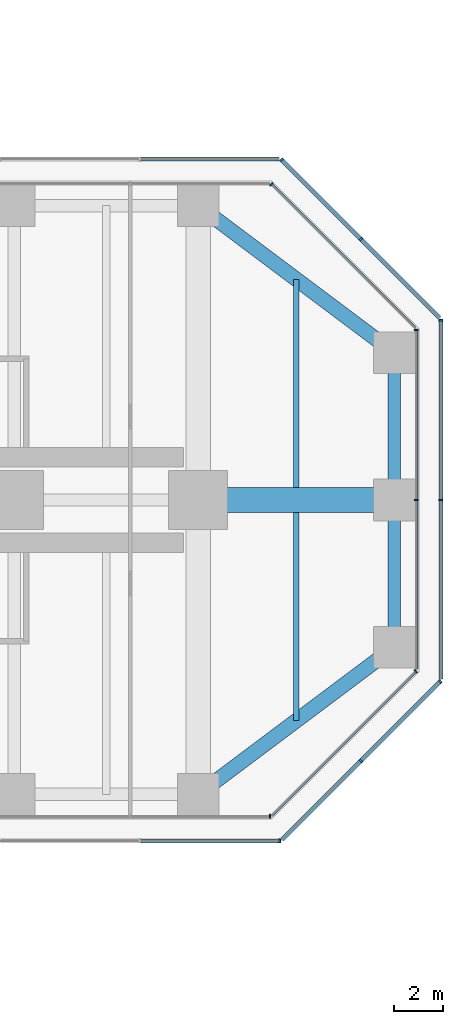
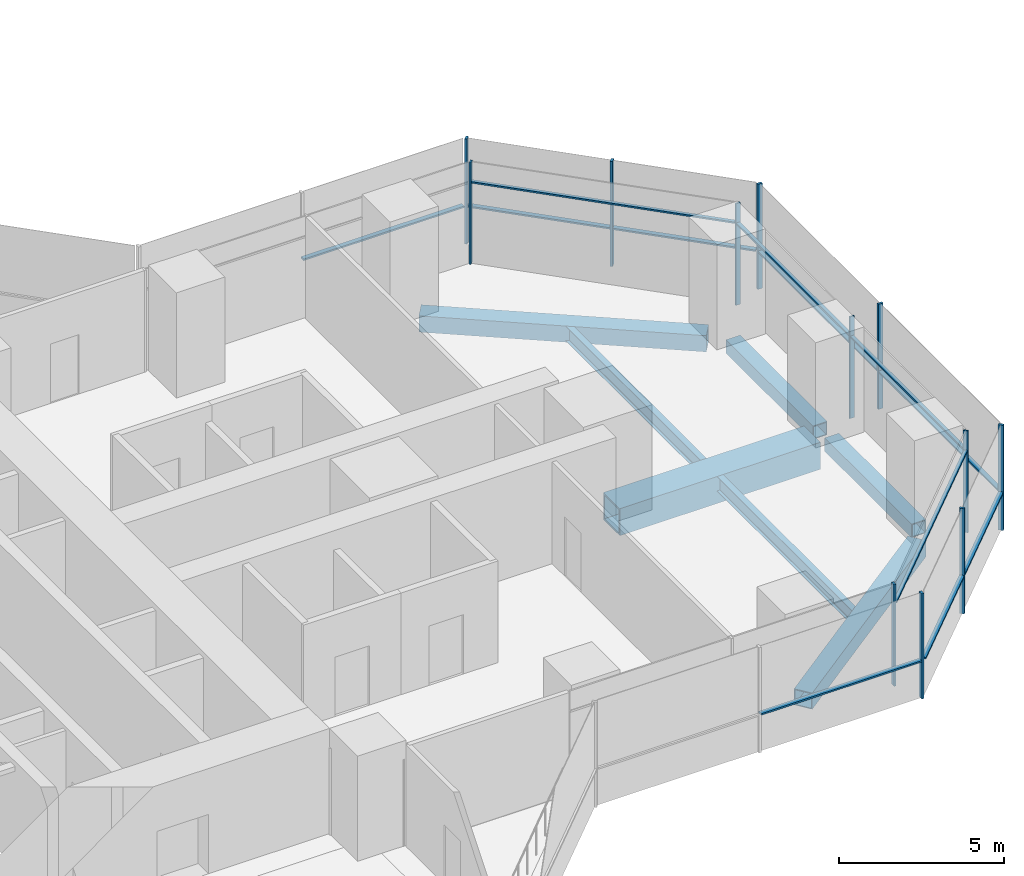
# One storey, part 12 of 22: 24 members, 7 beams, 9 elements without a shape of their own.
"""IFC4 building model written with IfcOpenShell, lengths in metres."""

from ifc_helpers import new_model, si_unit, direction, frame, origin, origin_2d, place, context, subcontext, project, spatial, rectangle, hollow_rectangle, i_section, extrude, material, material_profile, profile_set, type_object, element, aggregate, save


model = new_model("IFC4")

# Units and contexts
model_context = context("Model", 3, precision=1e-05, world=origin(), true_north=direction((0.0, 1.0)))
body_context = subcontext(model_context, "Body", "Model", "MODEL_VIEW")
ifc_project = project(units=[si_unit("LENGTHUNIT", "METRE"), si_unit("AREAUNIT", "SQUARE_METRE"), si_unit("VOLUMEUNIT", "CUBIC_METRE"), si_unit("PLANEANGLEUNIT", "RADIAN"), si_unit("MASSUNIT", "GRAM", prefix="KILO")], contexts=[model_context])

# Site, building, storey
site_placement = place(None, origin())
site = spatial("IfcSite", under=ifc_project, at=site_placement, CompositionType="ELEMENT")
building_placement = place(site_placement, origin())
building = spatial("IfcBuilding", under=site, at=building_placement, Name="Mizan Broadcast Tower", CompositionType="ELEMENT")
storey_placement = place(building_placement, frame((0.0, 0.0, 55.199951171875)))
storey = spatial("IfcBuildingStorey", under=building, at=storey_placement, Name="L10", CompositionType="ELEMENT", Elevation=55.199951171875)

# Beams
ifc_material_1 = material(Name="Steel S355", Category="steel")
ifc_material_profile_1 = material_profile(ifc_material_1, hollow_rectangle(XDim=0.5, YDim=0.5, WallThickness=0.030029296875, at=origin_2d()), Name="BOX 500x500x30")
ifc_profile_set_1 = profile_set([ifc_material_profile_1], Name="Steel S355")
beam_type_1 = type_object("IfcBeamType", Name="EDGE BEAM BOX 500x500x30", PredefinedType="SPANDREL", material=ifc_profile_set_1)
for number, where, z_axis, x_axis, name in (
    (1, (35.0, -5.639892578125, -0.3798828125), (0.0, 1.0, 0.0), (-1.0, 0.0, 0.0), "Edge beam BOX 500x500x30 L10 east arm"),
    (2, (35.0, 5.639892578125, -0.3798828125), (0.0, -1.0, 0.0), (1.0, 0.0, 0.0), "Edge beam BOX 500x500x30 L10 east arm"),
):
    element("IfcBeam", number, at=place(storey_placement, frame(where, z_axis=z_axis, x_axis=x_axis)), inside=storey, type_object=beam_type_1, Name=name, PredefinedType="SPANDREL", context=body_context, shape_type="SweptSolid", body=[
        extrude(hollow_rectangle(XDim=0.5, YDim=0.5, WallThickness=0.030029296875, at=origin_2d()), origin(), (0.0, 0.0, 1.0), 5.27978515625),
    ])
ifc_material_2 = material(Name="Steel S355", Category="steel")
ifc_material_profile_2 = material_profile(ifc_material_2, hollow_rectangle(XDim=0.60009765625, YDim=0.60009765625, WallThickness=0.030029296875, at=origin_2d()), Name="BOX 600x600x30")
ifc_profile_set_2 = profile_set([ifc_material_profile_2], Name="Steel S355")
beam_type_2 = type_object("IfcBeamType", Name="EDGE BEAM BOX 600x600x30", PredefinedType="SPANDREL", material=ifc_profile_set_2)
for number, where, z_axis, x_axis, name in (
    (3, (27.47998046875, -11.639892578125, -0.429931640625), (0.800013316712, 0.599982243973, 0.0), (-0.599982243973, 0.800013316712, 0.0), "Edge beam BOX 600x600x30 L10 east arm"),
    (4, (27.47998046875, 11.639892578125, -0.429931640625), (0.800013316712, -0.599982243973, 0.0), (0.599982243973, 0.800013316712, 0.0), "Edge beam BOX 600x600x30 L10 east arm"),
):
    element("IfcBeam", number, at=place(storey_placement, frame(where, z_axis=z_axis, x_axis=x_axis)), inside=storey, type_object=beam_type_2, Name=name, PredefinedType="SPANDREL", context=body_context, shape_type="SweptSolid", body=[
        extrude(hollow_rectangle(XDim=0.60009765625, YDim=0.60009765625, WallThickness=0.030029296875, at=origin_2d()), origin(), (0.0, 0.0, 1.0), 8.7998046875),
    ])
ifc_material_3 = material(Name="Steel S460", Category="steel")
ifc_material_profile_3 = material_profile(ifc_material_3, hollow_rectangle(XDim=1.0, YDim=1.0, WallThickness=0.06005859375, at=origin_2d()), Name="BOX 1000x1000x60")
ifc_profile_set_3 = profile_set([ifc_material_profile_3], Name="Steel S460")
beam_type_3 = type_object("IfcBeamType", Name="GIRDER BOX 1000x1000x60", PredefinedType="BEAM", material=ifc_profile_set_3)
beam_placement = place(storey_placement, frame((27.47998046875, 0.0, -0.6298828125), z_axis=(1.0, 0.0, 0.0), x_axis=(0.0, 1.0, 0.0)))
element("IfcBeam", 5, at=beam_placement, inside=storey, type_object=beam_type_3, Name="Girder BOX 1000x1000x60 L10 east arm", PredefinedType="BEAM", context=body_context, shape_type="SweptSolid", body=[
    extrude(hollow_rectangle(XDim=1.0, YDim=1.0, WallThickness=0.06005859375, at=origin_2d()), origin(), (0.0, 0.0, 1.0), 7.0400390625),
])

# Curtain wall, member
ifc_material_4 = material(Name="Aluminium framed glazing", Category="aluminium")
curtain_wall_type_1 = type_object("IfcCurtainWallType", Name="INNER SKIN LOW ZONE", PredefinedType="USERDEFINED", material=ifc_material_4)
curtain_wall_1_placement = place(storey_placement, origin())
curtain_wall_1 = element("IfcCurtainWall", 6, at=curtain_wall_1_placement, inside=storey, type_object=curtain_wall_type_1, Name="Inner skin low zone L10 E side", ObjectType="INNER SKIN LOW ZONE", PredefinedType="USERDEFINED")
ifc_material_5 = material(Name="Aluminium, pale anodised", Category="aluminium")
ifc_material_profile_4 = material_profile(ifc_material_5, rectangle(XDim=0.159912109375, YDim=0.06005859375, at=origin_2d()), Name="MULLION 160x60")
ifc_profile_set_4 = profile_set([ifc_material_profile_4], Name="Aluminium, pale anodised")
member_type_1 = type_object("IfcMemberType", Name="INNER SKIN MULLION 60x160", PredefinedType="MULLION", material=ifc_profile_set_4)
member_1_placement = place(storey_placement, frame((29.928466796875, -12.89990234375, 0.0), z_axis=(0.0, 0.0, 1.0), x_axis=(0.0, 1.0, 0.0)))
member_1 = element("IfcMember", 7, at=member_1_placement, type_object=member_type_1, Name="Inner skin low zone L10 E side mullion 3", PredefinedType="MULLION", context=body_context, shape_type="SweptSolid", body=[
    extrude(rectangle(XDim=0.159912109375, YDim=0.06005859375, at=origin_2d()), origin(), (0.0, 0.0, 1.0), 3.77001953125),
])
aggregate(curtain_wall_1, [member_1])

curtain_wall_2_placement = place(storey_placement, origin())
curtain_wall_2 = element("IfcCurtainWall", 8, at=curtain_wall_2_placement, inside=storey, type_object=curtain_wall_type_1, Name="Inner skin low zone L10 E chamfer", ObjectType="INNER SKIN LOW ZONE", PredefinedType="USERDEFINED")
member_2_placement = place(storey_placement, frame((35.87890625, -6.979736328125, 0.0), z_axis=(0.0, 0.0, 1.0), x_axis=(-0.707106781187, 0.707106781187, 0.0)))
member_2 = element("IfcMember", 9, at=member_2_placement, type_object=member_type_1, Name="Inner skin low zone L10 E chamfer mullion 2", PredefinedType="MULLION", context=body_context, shape_type="SweptSolid", body=[
    extrude(rectangle(XDim=0.159912109375, YDim=0.06005859375, at=origin_2d()), origin(), (0.0, 0.0, 1.0), 3.77001953125),
])

# Curtain wall, members
curtain_wall_3_placement = place(storey_placement, origin())
curtain_wall_3 = element("IfcCurtainWall", 10, at=curtain_wall_3_placement, inside=storey, type_object=curtain_wall_type_1, Name="Inner skin low zone L10 E end", ObjectType="INNER SKIN LOW ZONE", PredefinedType="USERDEFINED")
member_3_placement = place(storey_placement, frame((35.89990234375, 0.0, 0.0), z_axis=(0.0, 0.0, 1.0), x_axis=(-1.0, 0.0, 0.0)))
member_3 = element("IfcMember", 11, at=member_3_placement, type_object=member_type_1, Name="Inner skin low zone L10 E end mullion 2", PredefinedType="MULLION", context=body_context, shape_type="SweptSolid", body=[
    extrude(rectangle(XDim=0.159912109375, YDim=0.06005859375, at=origin_2d()), origin(), (0.0, 0.0, 1.0), 3.77001953125),
])
member_4_placement = place(storey_placement, frame((35.89990234375, 6.928466796875, 0.0), z_axis=(0.0, 0.0, 1.0), x_axis=(-1.0, 0.0, 0.0)))
member_4 = element("IfcMember", 12, at=member_4_placement, type_object=member_type_1, Name="Inner skin low zone L10 E end mullion 3", PredefinedType="MULLION", context=body_context, shape_type="SweptSolid", body=[
    extrude(rectangle(XDim=0.159912109375, YDim=0.06005859375, at=origin_2d()), origin(), (0.0, 0.0, 1.0), 3.77001953125),
])

# Curtain wall, member
curtain_wall_4_placement = place(storey_placement, origin())
curtain_wall_4 = element("IfcCurtainWall", 13, at=curtain_wall_4_placement, inside=storey, type_object=curtain_wall_type_1, Name="Inner skin low zone L10 E chamfer", ObjectType="INNER SKIN LOW ZONE", PredefinedType="USERDEFINED")
member_5_placement = place(storey_placement, frame((29.979736328125, 12.87890625, 0.0), z_axis=(0.0, 0.0, 1.0), x_axis=(-0.707106781187, -0.707106781187, 0.0)))
member_5 = element("IfcMember", 14, at=member_5_placement, type_object=member_type_1, Name="Inner skin low zone L10 E chamfer mullion 2", PredefinedType="MULLION", context=body_context, shape_type="SweptSolid", body=[
    extrude(rectangle(XDim=0.159912109375, YDim=0.06005859375, at=origin_2d()), origin(), (0.0, 0.0, 1.0), 3.77001953125),
])

# Member
ifc_material_6 = material(Name="Aluminium, pale anodised", Category="aluminium")
ifc_material_profile_5 = material_profile(ifc_material_6, rectangle(XDim=0.1201171875, YDim=0.06005859375, at=origin_2d()), Name="TRANSOM 120x60")
ifc_profile_set_5 = profile_set([ifc_material_profile_5], Name="Aluminium, pale anodised")
member_type_2 = type_object("IfcMemberType", Name="INNER SKIN TRANSOM 60x120", PredefinedType="USERDEFINED", material=ifc_profile_set_5)
member_6_placement = place(storey_placement, frame((30.0009765625, -12.857666015625, 3.030029296875), z_axis=(0.707106781187, 0.707106781187, 0.0), x_axis=(-0.707106781187, 0.707106781187, 0.0)))
member_6 = element("IfcMember", 15, at=member_6_placement, type_object=member_type_2, Name="Inner skin low zone L10 E chamfer transom 1.1", ObjectType="TRANSOM", PredefinedType="USERDEFINED", context=body_context, shape_type="SweptSolid", body=[
    extrude(rectangle(XDim=0.1201171875, YDim=0.06005859375, at=origin_2d()), origin(), (0.0, 0.0, 1.0), 8.28271484375),
])

aggregate(curtain_wall_2, [member_2, member_6])

member_7_placement = place(storey_placement, frame((35.89990234375, -6.898681640625, 3.030029296875), z_axis=(0.0, 1.0, 0.0), x_axis=(-1.0, 0.0, 0.0)))
member_7 = element("IfcMember", 16, at=member_7_placement, type_object=member_type_2, Name="Inner skin low zone L10 E end transom 1.1", ObjectType="TRANSOM", PredefinedType="USERDEFINED", context=body_context, shape_type="SweptSolid", body=[
    extrude(rectangle(XDim=0.1201171875, YDim=0.06005859375, at=origin_2d()), origin(), (0.0, 0.0, 1.0), 6.86865234375),
])

member_8_placement = place(storey_placement, frame((35.89990234375, 0.030029296875, 3.030029296875), z_axis=(0.0, 1.0, 0.0), x_axis=(-1.0, 0.0, 0.0)))
member_8 = element("IfcMember", 17, at=member_8_placement, type_object=member_type_2, Name="Inner skin low zone L10 E end transom 2.1", ObjectType="TRANSOM", PredefinedType="USERDEFINED", context=body_context, shape_type="SweptSolid", body=[
    extrude(rectangle(XDim=0.1201171875, YDim=0.06005859375, at=origin_2d()), origin(), (0.0, 0.0, 1.0), 6.86865234375),
])

aggregate(curtain_wall_3, [member_3, member_4, member_7, member_8])

member_9_placement = place(storey_placement, frame((35.857666015625, 7.0009765625, 3.030029296875), z_axis=(-0.707106781187, 0.707106781187, 0.0), x_axis=(-0.707106781187, -0.707106781187, 0.0)))
member_9 = element("IfcMember", 18, at=member_9_placement, type_object=member_type_2, Name="Inner skin low zone L10 E chamfer transom 1.1", ObjectType="TRANSOM", PredefinedType="USERDEFINED", context=body_context, shape_type="SweptSolid", body=[
    extrude(rectangle(XDim=0.1201171875, YDim=0.06005859375, at=origin_2d()), origin(), (0.0, 0.0, 1.0), 8.28271484375),
])

aggregate(curtain_wall_4, [member_5, member_9])

# Curtain wall, members
ifc_material_7 = material(Name="Aluminium framed glazing", Category="aluminium")
curtain_wall_type_2 = type_object("IfcCurtainWallType", Name="OUTER SKIN", PredefinedType="USERDEFINED", material=ifc_material_7)
curtain_wall_5_placement = place(storey_placement, origin())
curtain_wall_5 = element("IfcCurtainWall", 19, at=curtain_wall_5_placement, inside=storey, type_object=curtain_wall_type_2, Name="Outer skin L10 E chamfer", ObjectType="OUTER SKIN", PredefinedType="USERDEFINED")
ifc_material_8 = material(Name="Aluminium, pale anodised", Category="aluminium")
ifc_material_profile_6 = material_profile(ifc_material_8, rectangle(XDim=0.159912109375, YDim=0.080078125, at=origin_2d()), Name="MULLION 160x80")
ifc_profile_set_6 = profile_set([ifc_material_profile_6], Name="Aluminium, pale anodised")
member_type_3 = type_object("IfcMemberType", Name="OUTER SKIN MULLION 80x160", PredefinedType="MULLION", material=ifc_profile_set_6)
member_10_placement = place(storey_placement, frame((33.636474609375, -10.636474609375, 0.0), z_axis=(0.0, 0.0, 1.0), x_axis=(-0.707106781187, 0.707106781187, 0.0)))
member_10 = element("IfcMember", 20, at=member_10_placement, type_object=member_type_3, Name="Outer skin L10 E chamfer mullion 2", PredefinedType="MULLION", context=body_context, shape_type="SweptSolid", body=[
    extrude(rectangle(XDim=0.159912109375, YDim=0.080078125, at=origin_2d()), origin(), (0.0, 0.0, 1.0), 3.900146484375),
])
member_11_placement = place(storey_placement, frame((36.871826171875, -7.401123046875, 0.0), z_axis=(0.0, 0.0, 1.0), x_axis=(-0.707106781187, 0.707106781187, 0.0)))
member_11 = element("IfcMember", 21, at=member_11_placement, type_object=member_type_3, Name="Outer skin L10 E chamfer mullion 3", PredefinedType="MULLION", context=body_context, shape_type="SweptSolid", body=[
    extrude(rectangle(XDim=0.159912109375, YDim=0.080078125, at=origin_2d()), origin(), (0.0, 0.0, 1.0), 3.900146484375),
])

curtain_wall_6_placement = place(storey_placement, origin())
curtain_wall_6 = element("IfcCurtainWall", 22, at=curtain_wall_6_placement, inside=storey, type_object=curtain_wall_type_2, Name="Outer skin L10 E end", ObjectType="OUTER SKIN", PredefinedType="USERDEFINED")
member_12_placement = place(storey_placement, frame((36.89990234375, 0.0, 0.0), z_axis=(0.0, 0.0, 1.0), x_axis=(-1.0, 0.0, 0.0)))
member_12 = element("IfcMember", 23, at=member_12_placement, type_object=member_type_3, Name="Outer skin L10 E end mullion 2", PredefinedType="MULLION", context=body_context, shape_type="SweptSolid", body=[
    extrude(rectangle(XDim=0.159912109375, YDim=0.080078125, at=origin_2d()), origin(), (0.0, 0.0, 1.0), 3.900146484375),
])
member_13_placement = place(storey_placement, frame((36.89990234375, 7.332763671875, 0.0), z_axis=(0.0, 0.0, 1.0), x_axis=(-1.0, 0.0, 0.0)))
member_13 = element("IfcMember", 24, at=member_13_placement, type_object=member_type_3, Name="Outer skin L10 E end mullion 3", PredefinedType="MULLION", context=body_context, shape_type="SweptSolid", body=[
    extrude(rectangle(XDim=0.159912109375, YDim=0.080078125, at=origin_2d()), origin(), (0.0, 0.0, 1.0), 3.900146484375),
])

curtain_wall_7_placement = place(storey_placement, origin())
curtain_wall_7 = element("IfcCurtainWall", 25, at=curtain_wall_7_placement, inside=storey, type_object=curtain_wall_type_2, Name="Outer skin L10 E chamfer", ObjectType="OUTER SKIN", PredefinedType="USERDEFINED")
member_14_placement = place(storey_placement, frame((33.636474609375, 10.636474609375, 0.0), z_axis=(0.0, 0.0, 1.0), x_axis=(-0.707106781187, -0.707106781187, 0.0)))
member_14 = element("IfcMember", 26, at=member_14_placement, type_object=member_type_3, Name="Outer skin L10 E chamfer mullion 2", PredefinedType="MULLION", context=body_context, shape_type="SweptSolid", body=[
    extrude(rectangle(XDim=0.159912109375, YDim=0.080078125, at=origin_2d()), origin(), (0.0, 0.0, 1.0), 3.900146484375),
])
member_15_placement = place(storey_placement, frame((30.401123046875, 13.871826171875, 0.0), z_axis=(0.0, 0.0, 1.0), x_axis=(-0.707106781187, -0.707106781187, 0.0)))
member_15 = element("IfcMember", 27, at=member_15_placement, type_object=member_type_3, Name="Outer skin L10 E chamfer mullion 3", PredefinedType="MULLION", context=body_context, shape_type="SweptSolid", body=[
    extrude(rectangle(XDim=0.159912109375, YDim=0.080078125, at=origin_2d()), origin(), (0.0, 0.0, 1.0), 3.900146484375),
])

# Curtain wall, member
curtain_wall_8_placement = place(storey_placement, origin())
curtain_wall_8 = element("IfcCurtainWall", 28, at=curtain_wall_8_placement, inside=storey, type_object=curtain_wall_type_2, Name="Outer skin L10 E side", ObjectType="OUTER SKIN", PredefinedType="USERDEFINED")
member_16_placement = place(storey_placement, frame((30.332763671875, -13.89990234375, 0.0), z_axis=(0.0, 0.0, 1.0), x_axis=(0.0, 1.0, 0.0)))
member_16 = element("IfcMember", 29, at=member_16_placement, type_object=member_type_3, Name="Outer skin L10 E side mullion 3", PredefinedType="MULLION", context=body_context, shape_type="SweptSolid", body=[
    extrude(rectangle(XDim=0.159912109375, YDim=0.080078125, at=origin_2d()), origin(), (0.0, 0.0, 1.0), 3.900146484375),
])

# Member
ifc_material_9 = material(Name="Aluminium, pale anodised", Category="aluminium")
ifc_material_profile_7 = material_profile(ifc_material_9, rectangle(XDim=0.159912109375, YDim=0.06005859375, at=origin_2d()), Name="TRANSOM 160x60")
ifc_profile_set_7 = profile_set([ifc_material_profile_7], Name="Aluminium, pale anodised")
member_type_4 = type_object("IfcMemberType", Name="OUTER SKIN TRANSOM 60x160", PredefinedType="USERDEFINED", material=ifc_profile_set_7)
member_17_placement = place(storey_placement, frame((30.429443359375, -13.843505859375, 1.400146484375), z_axis=(0.707106781187, 0.707106781187, 0.0), x_axis=(-0.707106781187, 0.707106781187, 0.0)))
member_17 = element("IfcMember", 30, at=member_17_placement, type_object=member_type_4, Name="Outer skin L10 E chamfer transom 1.1", ObjectType="TRANSOM", PredefinedType="USERDEFINED", context=body_context, shape_type="SweptSolid", body=[
    extrude(rectangle(XDim=0.159912109375, YDim=0.06005859375, at=origin_2d()), origin(), (0.0, 0.0, 1.0), 4.495361328125),
])

member_18_placement = place(storey_placement, frame((33.664794921875, -10.608154296875, 1.400146484375), z_axis=(0.707106781187, 0.707106781187, 0.0), x_axis=(-0.707106781187, 0.707106781187, 0.0)))
member_18 = element("IfcMember", 31, at=member_18_placement, type_object=member_type_4, Name="Outer skin L10 E chamfer transom 2.1", ObjectType="TRANSOM", PredefinedType="USERDEFINED", context=body_context, shape_type="SweptSolid", body=[
    extrude(rectangle(XDim=0.159912109375, YDim=0.06005859375, at=origin_2d()), origin(), (0.0, 0.0, 1.0), 4.495361328125),
])

aggregate(curtain_wall_5, [member_10, member_11, member_17, member_18])

member_19_placement = place(storey_placement, frame((36.89990234375, -7.292724609375, 1.400146484375), z_axis=(0.0, 1.0, 0.0), x_axis=(-1.0, 0.0, 0.0)))
member_19 = element("IfcMember", 32, at=member_19_placement, type_object=member_type_4, Name="Outer skin L10 E end transom 1.1", ObjectType="TRANSOM", PredefinedType="USERDEFINED", context=body_context, shape_type="SweptSolid", body=[
    extrude(rectangle(XDim=0.159912109375, YDim=0.06005859375, at=origin_2d()), origin(), (0.0, 0.0, 1.0), 7.252685546875),
])

member_20_placement = place(storey_placement, frame((36.89990234375, 0.0400390625, 1.400146484375), z_axis=(0.0, 1.0, 0.0), x_axis=(-1.0, 0.0, 0.0)))
member_20 = element("IfcMember", 33, at=member_20_placement, type_object=member_type_4, Name="Outer skin L10 E end transom 2.1", ObjectType="TRANSOM", PredefinedType="USERDEFINED", context=body_context, shape_type="SweptSolid", body=[
    extrude(rectangle(XDim=0.159912109375, YDim=0.06005859375, at=origin_2d()), origin(), (0.0, 0.0, 1.0), 7.252685546875),
])

aggregate(curtain_wall_6, [member_12, member_13, member_19, member_20])

member_21_placement = place(storey_placement, frame((36.843505859375, 7.429443359375, 1.400146484375), z_axis=(-0.707106781187, 0.707106781187, 0.0), x_axis=(-0.707106781187, -0.707106781187, 0.0)))
member_21 = element("IfcMember", 34, at=member_21_placement, type_object=member_type_4, Name="Outer skin L10 E chamfer transom 1.1", ObjectType="TRANSOM", PredefinedType="USERDEFINED", context=body_context, shape_type="SweptSolid", body=[
    extrude(rectangle(XDim=0.159912109375, YDim=0.06005859375, at=origin_2d()), origin(), (0.0, 0.0, 1.0), 4.495361328125),
])

member_22_placement = place(storey_placement, frame((33.608154296875, 10.664794921875, 1.400146484375), z_axis=(-0.707106781187, 0.707106781187, 0.0), x_axis=(-0.707106781187, -0.707106781187, 0.0)))
member_22 = element("IfcMember", 35, at=member_22_placement, type_object=member_type_4, Name="Outer skin L10 E chamfer transom 2.1", ObjectType="TRANSOM", PredefinedType="USERDEFINED", context=body_context, shape_type="SweptSolid", body=[
    extrude(rectangle(XDim=0.159912109375, YDim=0.06005859375, at=origin_2d()), origin(), (0.0, 0.0, 1.0), 4.495361328125),
])

aggregate(curtain_wall_7, [member_14, member_15, member_21, member_22])

# Curtain wall, member
curtain_wall_9_placement = place(storey_placement, origin())
curtain_wall_9 = element("IfcCurtainWall", 36, at=curtain_wall_9_placement, inside=storey, type_object=curtain_wall_type_2, Name="Outer skin L10 E side", ObjectType="OUTER SKIN", PredefinedType="USERDEFINED")
member_23_placement = place(storey_placement, frame((30.292724609375, 13.89990234375, 1.400146484375), z_axis=(-1.0, 0.0, 0.0), x_axis=(0.0, -1.0, 0.0)))
member_23 = element("IfcMember", 37, at=member_23_placement, type_object=member_type_4, Name="Outer skin L10 E side transom 1.1", ObjectType="TRANSOM", PredefinedType="USERDEFINED", context=body_context, shape_type="SweptSolid", body=[
    extrude(rectangle(XDim=0.159912109375, YDim=0.06005859375, at=origin_2d()), origin(), (0.0, 0.0, 1.0), 5.6298828125),
])
aggregate(curtain_wall_9, [member_23])

# Member
member_24_placement = place(storey_placement, frame((24.662841796875, -13.89990234375, 1.400146484375), z_axis=(1.0, 0.0, 0.0), x_axis=(0.0, 1.0, 0.0)))
member_24 = element("IfcMember", 38, at=member_24_placement, type_object=member_type_4, Name="Outer skin L10 E side transom 2.1", ObjectType="TRANSOM", PredefinedType="USERDEFINED", context=body_context, shape_type="SweptSolid", body=[
    extrude(rectangle(XDim=0.159912109375, YDim=0.06005859375, at=origin_2d()), origin(), (0.0, 0.0, 1.0), 5.6298828125),
])

aggregate(curtain_wall_8, [member_16, member_24])

# Beams
ifc_material_10 = material(Name="Steel S355", Category="steel")
ifc_material_profile_8 = material_profile(ifc_material_10, i_section(OverallWidth=0.2099609375, OverallDepth=0.550048828125, WebThickness=0.010986328125, FlangeThickness=0.01708984375, FilletRadius=0.02392578125, at=origin_2d()), Name="IPE 550")
ifc_profile_set_8 = profile_set([ifc_material_profile_8], Name="Steel S355")
beam_type_4 = type_object("IfcBeamType", Name="SECONDARY BEAM IPE 550", PredefinedType="JOIST", material=ifc_profile_set_8)
for number, where, z_axis, x_axis, name in (
    (39, (31.0, -9.0, -0.405029296875), (0.0, 1.0, 0.0), (-1.0, 0.0, 0.0), "Secondary beam IPE 550 L10 east arm"),
    (40, (31.0, 9.0, -0.405029296875), (0.0, -1.0, 0.0), (1.0, 0.0, 0.0), "Secondary beam IPE 550 L10 east arm"),
):
    element("IfcBeam", number, at=place(storey_placement, frame(where, z_axis=z_axis, x_axis=x_axis)), inside=storey, type_object=beam_type_4, Name=name, PredefinedType="JOIST", context=body_context, shape_type="SweptSolid", body=[
        extrude(i_section(OverallWidth=0.2099609375, OverallDepth=0.550048828125, WebThickness=0.010986328125, FlangeThickness=0.01708984375, FilletRadius=0.02392578125, at=origin_2d()), origin(), (0.0, 0.0, 1.0), 8.5),
    ])

save(model, "model.ifc")
